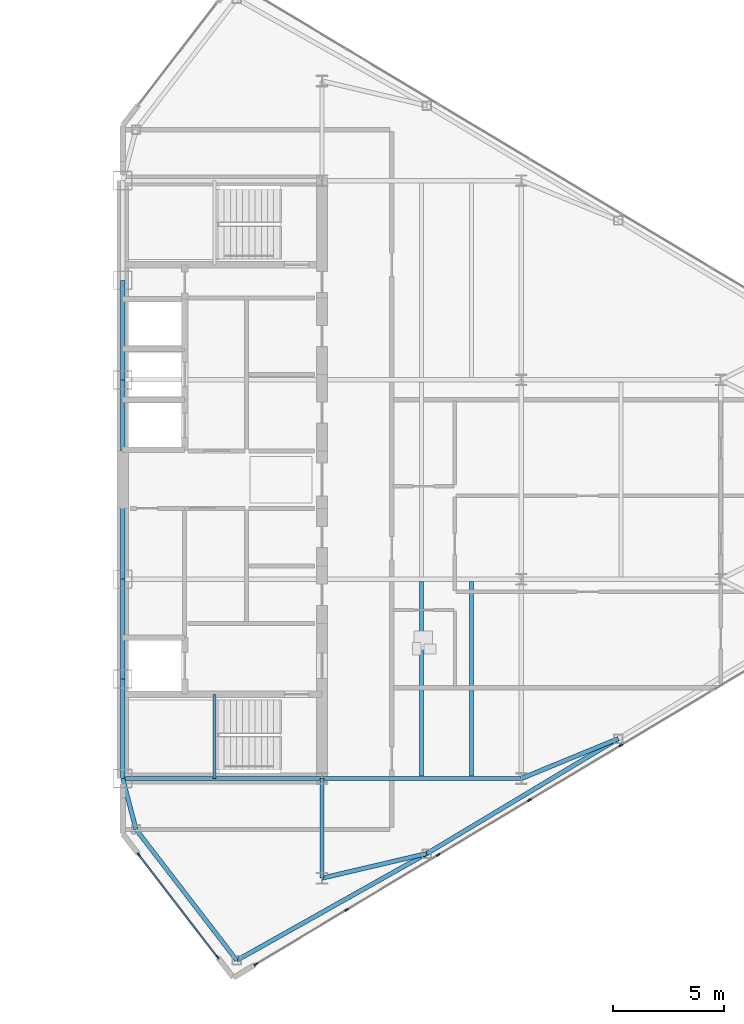
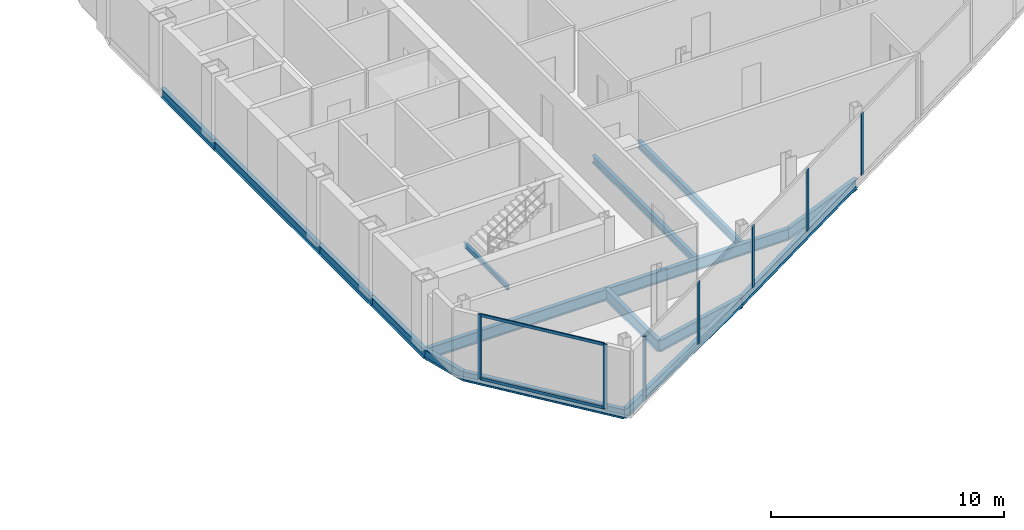
# One storey, part 11 of 25: 16 beams, 9 members, 2 elements without a shape of their own.
"""IFC4 building model written with IfcOpenShell, lengths in metres."""

from ifc_helpers import new_model, si_unit, direction, frame, origin, origin_2d, place, context, subcontext, project, spatial, rectangle, i_section, extrude, source, transform, mapped, material, layer, layer_set, material_profile, profile_set, type_object, type_shapes, element, aggregate, save


model = new_model("IFC4")

# Units and contexts
model_context = context("Model", 3, precision=1e-05, world=origin(), true_north=direction((0.0, 1.0)))
body_context = subcontext(model_context, "Body", "Model", "MODEL_VIEW")
ifc_project = project(units=[si_unit("LENGTHUNIT", "METRE"), si_unit("AREAUNIT", "SQUARE_METRE"), si_unit("VOLUMEUNIT", "CUBIC_METRE"), si_unit("PLANEANGLEUNIT", "RADIAN"), si_unit("MASSUNIT", "GRAM", prefix="KILO")], contexts=[model_context])

# Site, building, storey
site_placement = place(None, origin())
site = spatial("IfcSite", under=ifc_project, at=site_placement, CompositionType="ELEMENT")
building_placement = place(site_placement, origin())
building = spatial("IfcBuilding", under=site, at=building_placement, Name="Seokmaru Belvedere", CompositionType="ELEMENT")
storey_placement = place(building_placement, frame((0.0, 0.0, 210.300048828125)))
storey = spatial("IfcBuildingStorey", under=building, at=storey_placement, Name="L56", CompositionType="ELEMENT", Elevation=210.300048828125)

# Beams
ifc_material_1 = material(Name="Steel SM355 (355 MPa)", Category="steel")
ifc_material_profile_1 = material_profile(ifc_material_1, i_section(OverallWidth=0.199951171875, OverallDepth=0.5, WebThickness=0.010009765625, FlangeThickness=0.01611328125, at=origin_2d()), Name="H-500x200x10x16")
ifc_profile_set_1 = profile_set([ifc_material_profile_1], Name="Steel SM355 (355 MPa)")
beam_type_1 = type_object("IfcBeamType", Name="Perimeter Spandrel Beam H-500", PredefinedType="SPANDREL", material=ifc_profile_set_1)
shared_shape_1 = source(origin(), body_context, "Body", "SweptSolid", [
    extrude(i_section(OverallWidth=0.199951171875, OverallDepth=0.5, WebThickness=0.010009765625, FlangeThickness=0.01611328125, at=origin_2d()), origin(), (0.0, 0.0, 1.0), 4.5),
])
for number, where, z_axis, x_axis, name in (
    (1, (27.5, -13.5, -0.469970703125), (0.0, 1.0, 0.0), (-1.0, 0.0, 0.0), "L56 E Portal Spine Spandrel 1"),
    (2, (27.5, -9.0, -0.469970703125), (0.0, 1.0, 0.0), (-1.0, 0.0, 0.0), "L56 E Portal Spine Spandrel 2"),
    (3, (27.5, 4.5, -0.469970703125), (0.0, 1.0, 0.0), (-1.0, 0.0, 0.0), "L56 E Portal Spine Spandrel 4"),
):
    element("IfcBeam", number, at=place(storey_placement, frame(where, z_axis=z_axis, x_axis=x_axis)), inside=storey, type_object=beam_type_1, Name=name, PredefinedType="SPANDREL", context=body_context, shape_type="MappedRepresentation", body=[
        mapped(shared_shape_1, transform((0.0, 0.0, 0.0), scale=1.0)),
    ])
shared_shape_2 = source(origin(), body_context, "Body", "SweptSolid", [
    extrude(i_section(OverallWidth=0.199951171875, OverallDepth=0.5, WebThickness=0.010009765625, FlangeThickness=0.01611328125, at=origin_2d()), origin(), (0.0, 0.0, 1.0), 9.0),
])
beam_1_placement = place(storey_placement, frame((27.5, -4.5, -0.469970703125), z_axis=(0.0, 1.0, 0.0), x_axis=(-1.0, 0.0, 0.0)))
element("IfcBeam", 4, at=beam_1_placement, inside=storey, type_object=beam_type_1, Name="L56 E Portal Spine Spandrel 3", PredefinedType="SPANDREL", context=body_context, shape_type="MappedRepresentation", body=[
    mapped(shared_shape_2, transform((0.0, 0.0, 0.0), scale=1.0)),
])
ifc_material_profile_2 = material_profile(ifc_material_1, i_section(OverallWidth=0.199951171875, OverallDepth=0.60009765625, WebThickness=0.010986328125, FlangeThickness=0.01708984375, at=origin_2d()), Name="H-600x200x11x17")
ifc_profile_set_2 = profile_set([ifc_material_profile_2], Name="Steel SM355 (355 MPa)")
beam_type_2 = type_object("IfcBeamType", Name="Primary Floor Girder H-600", PredefinedType="BEAM", material=ifc_profile_set_2)
shared_shape_3 = source(origin(), body_context, "Body", "SweptSolid", [
    extrude(i_section(OverallWidth=0.199951171875, OverallDepth=0.60009765625, WebThickness=0.010986328125, FlangeThickness=0.01708984375, at=origin_2d()), origin(), (0.0, 0.0, 1.0), 9.0),
])
for number, where, z_axis, x_axis, name in (
    (5, (27.5, -13.5, -0.52001953125), (1.0, 0.0, 0.0), (0.0, 1.0, 0.0), "L56 E Core Tie Girder 1"),
    (6, (36.5, -13.5, -0.52001953125), (1.0, 0.0, 0.0), (0.0, 1.0, 0.0), "L56 E Wing Primary Girder 1"),
):
    element("IfcBeam", number, at=place(storey_placement, frame(where, z_axis=z_axis, x_axis=x_axis)), inside=storey, type_object=beam_type_2, Name=name, PredefinedType="BEAM", context=body_context, shape_type="MappedRepresentation", body=[
        mapped(shared_shape_3, transform((0.0, 0.0, 0.0), scale=1.0)),
    ])
ifc_material_profile_3 = material_profile(ifc_material_1, i_section(OverallWidth=0.18505859375, OverallDepth=0.389892578125, WebThickness=0.008056640625, FlangeThickness=0.011962890625, at=origin_2d()), Name="H-390x185x8x12")
ifc_profile_set_3 = profile_set([ifc_material_profile_3], Name="Steel SM355 (355 MPa)")
beam_type_3 = type_object("IfcBeamType", Name="Secondary Floor Joist H-350", PredefinedType="JOIST", material=ifc_profile_set_3)
shared_shape_4 = source(origin(), body_context, "Body", "SweptSolid", [
    extrude(i_section(OverallWidth=0.18505859375, OverallDepth=0.389892578125, WebThickness=0.008056640625, FlangeThickness=0.011962890625, at=origin_2d()), origin(), (0.0, 0.0, 1.0), 8.7900390625),
])
type_shapes(beam_type_3, [shared_shape_4])
for number, where, z_axis, x_axis, name in (
    (7, (43.25, -13.39501953125, -0.4150390625), (0.0, 1.0, 0.0), (-1.0, 0.0, 0.0), "L56 E Wing Inner Secondary Joist 1"),
    (8, (41.0, -13.39501953125, -0.4150390625), (0.0, 1.0, 0.0), (-1.0, 0.0, 0.0), "L56 E Secondary Floor Joist 1"),
):
    element("IfcBeam", number, at=place(storey_placement, frame(where, z_axis=z_axis, x_axis=x_axis)), inside=storey, type_object=beam_type_3, Name=name, PredefinedType="JOIST", context=body_context, shape_type="MappedRepresentation", body=[
        mapped(shared_shape_4, transform((0.0, 0.0, 0.0), scale=1.0)),
    ])
shared_shape_5 = source(origin(), body_context, "Body", "SweptSolid", [
    extrude(i_section(OverallWidth=0.199951171875, OverallDepth=0.60009765625, WebThickness=0.010986328125, FlangeThickness=0.01708984375, at=origin_2d()), origin(), (0.0, 0.0, 1.0), 4.5),
])
beam_2_placement = place(storey_placement, frame((36.5, -18.0, -0.52001953125), z_axis=(0.0, 1.0, 0.0), x_axis=(-1.0, 0.0, 0.0)))
element("IfcBeam", 9, at=beam_2_placement, inside=storey, type_object=beam_type_2, Name="L56 E Core Shoulder Girder S", PredefinedType="BEAM", context=body_context, shape_type="MappedRepresentation", body=[
    mapped(shared_shape_5, transform((0.0, 0.0, 0.0), scale=1.0)),
])
shared_shape_6 = source(origin(), body_context, "Body", "SweptSolid", [
    extrude(i_section(OverallWidth=0.199951171875, OverallDepth=0.5, WebThickness=0.010009765625, FlangeThickness=0.01611328125, at=origin_2d()), origin(), (0.0, 0.0, 1.0), 9.842041015625),
])
beam_3_placement = place(storey_placement, frame((32.649658203125, -21.71044921875, -0.469970703125), z_axis=(0.871782151818, 0.489893743349, 0.0), x_axis=(-0.489893743349, 0.871782151818, 0.0)))
element("IfcBeam", 10, at=beam_3_placement, inside=storey, type_object=beam_type_1, Name="L56 E Faceted Flank Spandrel S-1", PredefinedType="SPANDREL", context=body_context, shape_type="MappedRepresentation", body=[
    mapped(shared_shape_6, transform((0.0, 0.0, 0.0), scale=1.0)),
])
shared_shape_7 = source(origin(), body_context, "Body", "SweptSolid", [
    extrude(i_section(OverallWidth=0.199951171875, OverallDepth=0.5, WebThickness=0.010009765625, FlangeThickness=0.01611328125, at=origin_2d()), origin(), (0.0, 0.0, 1.0), 10.087646484375),
])
beam_4_placement = place(storey_placement, frame((41.229736328125, -16.888916015625, -0.469970703125), z_axis=(0.857499332045, 0.514485078056, 0.0), x_axis=(-0.514485078056, 0.857499332045, 0.0)))
element("IfcBeam", 11, at=beam_4_placement, inside=storey, type_object=beam_type_1, Name="L56 E Faceted Flank Spandrel S-2", PredefinedType="SPANDREL", context=body_context, shape_type="MappedRepresentation", body=[
    mapped(shared_shape_7, transform((0.0, 0.0, 0.0), scale=1.0)),
])
shared_shape_8 = source(origin(), body_context, "Body", "SweptSolid", [
    extrude(i_section(OverallWidth=0.199951171875, OverallDepth=0.5, WebThickness=0.010009765625, FlangeThickness=0.01611328125, at=origin_2d()), origin(), (0.0, 0.0, 1.0), 7.4619140625),
])
beam_5_placement = place(storey_placement, frame((32.649658203125, -21.71044921875, -0.469970703125), z_axis=(-0.609702854945, 0.792630070507, 0.0), x_axis=(-0.792630070507, -0.609702854945, 0.0)))
element("IfcBeam", 12, at=beam_5_placement, inside=storey, type_object=beam_type_1, Name="L56 E Shoulder Chamfer Spandrel S", PredefinedType="SPANDREL", context=body_context, shape_type="MappedRepresentation", body=[
    mapped(shared_shape_8, transform((0.0, 0.0, 0.0), scale=1.0)),
])
shared_shape_9 = source(origin(), body_context, "Body", "SweptSolid", [
    extrude(i_section(OverallWidth=0.199951171875, OverallDepth=0.5, WebThickness=0.010009765625, FlangeThickness=0.01611328125, at=origin_2d()), origin(), (0.0, 0.0, 1.0), 2.373046875),
])
type_shapes(beam_type_1, [shared_shape_1, shared_shape_2, shared_shape_6, shared_shape_7, shared_shape_8, shared_shape_9])
beam_6_placement = place(storey_placement, frame((28.10009765625, -15.7958984375, -0.469970703125), z_axis=(-0.252882558842, 0.967496982648, 0.0), x_axis=(-0.967496982648, -0.252882558842, 0.0)))
element("IfcBeam", 13, at=beam_6_placement, inside=storey, type_object=beam_type_1, Name="L56 E Shoulder Spine Spandrel S", PredefinedType="SPANDREL", context=body_context, shape_type="MappedRepresentation", body=[
    mapped(shared_shape_9, transform((0.0, 0.0, 0.0), scale=1.0)),
])
shared_shape_10 = source(origin(), body_context, "Body", "SweptSolid", [
    extrude(i_section(OverallWidth=0.199951171875, OverallDepth=0.60009765625, WebThickness=0.010986328125, FlangeThickness=0.01708984375, at=origin_2d()), origin(), (0.0, 0.0, 1.0), 4.8583984375),
])
beam_7_placement = place(storey_placement, frame((41.229736328125, -16.888916015625, -0.52001953125), z_axis=(-0.97349948295, -0.228689214211, 0.0), x_axis=(0.228689214211, -0.97349948295, 0.0)))
element("IfcBeam", 14, at=beam_7_placement, inside=storey, type_object=beam_type_2, Name="L56 E Flank Radial Floor Girder S-1", PredefinedType="BEAM", context=body_context, shape_type="MappedRepresentation", body=[
    mapped(shared_shape_10, transform((0.0, 0.0, 0.0), scale=1.0)),
])
shared_shape_11 = source(origin(), body_context, "Body", "SweptSolid", [
    extrude(i_section(OverallWidth=0.199951171875, OverallDepth=0.60009765625, WebThickness=0.010986328125, FlangeThickness=0.01708984375, at=origin_2d()), origin(), (0.0, 0.0, 1.0), 4.73583984375),
])
type_shapes(beam_type_2, [shared_shape_3, shared_shape_5, shared_shape_10, shared_shape_11])
beam_8_placement = place(storey_placement, frame((49.8798828125, -11.698974609375, -0.52001953125), z_axis=(-0.924860562953, -0.380306375301, 0.0), x_axis=(0.380306375301, -0.924860562953, 0.0)))
element("IfcBeam", 15, at=beam_8_placement, inside=storey, type_object=beam_type_2, Name="L56 E Flank Radial Floor Girder S-2", PredefinedType="BEAM", context=body_context, shape_type="MappedRepresentation", body=[
    mapped(shared_shape_11, transform((0.0, 0.0, 0.0), scale=1.0)),
])

# Curtain wall, member
ifc_material_2 = material(Name="Bronze Triple Insulating Glass", Category="glass")
ifc_layer = layer(ifc_material_2, 0.179931640625)
ifc_layer_set = layer_set([ifc_layer], Name="Bronze Triple Insulating Glass")
curtain_wall_type = type_object("IfcCurtainWallType", Name="High-Rise Wind-Corner Curtain Wall System CW-5", PredefinedType="NOTDEFINED", material=ifc_layer_set)
curtain_wall_1_placement = place(storey_placement, origin())
curtain_wall_1 = element("IfcCurtainWall", 16, at=curtain_wall_1_placement, inside=storey, type_object=curtain_wall_type, Name="L56 Curtain Wall EF1", PredefinedType="NOTDEFINED")
ifc_material_3 = material(Name="Anodised Bronze Aluminium", Category="aluminium")
ifc_material_profile_4 = material_profile(ifc_material_3, rectangle(XDim=0.06494140625, YDim=0.179931640625, at=origin_2d()), Name="CW-M-65x180")
ifc_profile_set_4 = profile_set([ifc_material_profile_4], Name="Anodised Bronze Aluminium")
member_type_1 = type_object("IfcMemberType", Name="Bronze Unitised Mullion 65x180", PredefinedType="MULLION", material=ifc_profile_set_4)
shared_shape_12 = source(origin(), body_context, "Body", "SweptSolid", [
    extrude(rectangle(XDim=0.06494140625, YDim=0.179931640625, at=origin_2d()), origin(), (0.0, 0.0, 1.0), 3.3798828125),
])
member_1_placement = place(storey_placement, frame((33.513916015625, -21.8916015625, 0.0), z_axis=(0.0, 0.0, 1.0), x_axis=(-0.514494909364, 0.85749343335, 0.0)))
member_1 = element("IfcMember", 17, at=member_1_placement, type_object=member_type_1, Name="CW:L56:EF1 Mullion 1", PredefinedType="MULLION", context=body_context, shape_type="MappedRepresentation", body=[
    mapped(shared_shape_12, transform((0.0, 0.0, 0.0), scale=1.0)),
])

# Curtain wall, members
curtain_wall_2_placement = place(storey_placement, origin())
curtain_wall_2 = element("IfcCurtainWall", 18, at=curtain_wall_2_placement, inside=storey, type_object=curtain_wall_type, Name="L56 Curtain Wall EF6", PredefinedType="NOTDEFINED")
member_2_placement = place(storey_placement, frame((28.220947265625, -16.937255859375, 0.0), z_axis=(0.0, 0.0, 1.0), x_axis=(0.792631353244, 0.609701187349, 0.0)))
member_2 = element("IfcMember", 19, at=member_2_placement, type_object=member_type_1, Name="CW:L56:EF6 Mullion 1", PredefinedType="MULLION", context=body_context, shape_type="MappedRepresentation", body=[
    mapped(shared_shape_12, transform((0.0, 0.0, 0.0), scale=1.0)),
])
member_3_placement = place(storey_placement, frame((31.779052734375, -21.562744140625, 0.0), z_axis=(0.0, 0.0, 1.0), x_axis=(0.792631353244, 0.609701187349, 0.0)))
member_3 = element("IfcMember", 20, at=member_3_placement, type_object=member_type_1, Name="CW:L56:EF6 Mullion 2", PredefinedType="MULLION", context=body_context, shape_type="MappedRepresentation", body=[
    mapped(shared_shape_12, transform((0.0, 0.0, 0.0), scale=1.0)),
])

# Member
shared_shape_13 = source(origin(), body_context, "Body", "SweptSolid", [
    extrude(rectangle(XDim=0.06494140625, YDim=0.179931640625, at=origin_2d()), origin(), (0.0, 0.0, 1.0), 3.25),
])
type_shapes(member_type_1, [shared_shape_12, shared_shape_13])
member_4_placement = place(storey_placement, frame((37.614501953125, -19.43115234375, 0.06494140625), z_axis=(0.0, 0.0, 1.0), x_axis=(-0.514494909364, 0.85749343335, 0.0)))
member_4 = element("IfcMember", 21, at=member_4_placement, type_object=member_type_1, Name="CW:L56:EF1 Mullion 2", PredefinedType="MULLION", context=body_context, shape_type="MappedRepresentation", body=[
    mapped(shared_shape_13, transform((0.0, 0.0, 0.0), scale=1.0)),
])

member_5_placement = place(storey_placement, frame((41.7431640625, -16.9541015625, 0.06494140625), z_axis=(0.0, 0.0, 1.0), x_axis=(-0.514494909364, 0.85749343335, 0.0)))
member_5 = element("IfcMember", 22, at=member_5_placement, type_object=member_type_1, Name="CW:L56:EF1 Mullion 3", PredefinedType="MULLION", context=body_context, shape_type="MappedRepresentation", body=[
    mapped(shared_shape_13, transform((0.0, 0.0, 0.0), scale=1.0)),
])

member_6_placement = place(storey_placement, frame((45.87158203125, -14.47705078125, 0.06494140625), z_axis=(0.0, 0.0, 1.0), x_axis=(-0.514494909364, 0.85749343335, 0.0)))
member_6 = element("IfcMember", 23, at=member_6_placement, type_object=member_type_1, Name="CW:L56:EF1 Mullion 4", PredefinedType="MULLION", context=body_context, shape_type="MappedRepresentation", body=[
    mapped(shared_shape_13, transform((0.0, 0.0, 0.0), scale=1.0)),
])

member_7_placement = place(storey_placement, frame((50.0, -12.0, 0.06494140625), z_axis=(0.0, 0.0, 1.0), x_axis=(-0.514494909364, 0.85749343335, 0.0)))
member_7 = element("IfcMember", 24, at=member_7_placement, type_object=member_type_1, Name="CW:L56:EF1 Mullion 5", PredefinedType="MULLION", context=body_context, shape_type="MappedRepresentation", body=[
    mapped(shared_shape_13, transform((0.0, 0.0, 0.0), scale=1.0)),
])

aggregate(curtain_wall_1, [member_1, member_4, member_5, member_6, member_7])

ifc_material_profile_5 = material_profile(ifc_material_3, rectangle(XDim=0.06494140625, YDim=0.14990234375, at=origin_2d()), Name="CW-T-65x150")
ifc_profile_set_5 = profile_set([ifc_material_profile_5], Name="Anodised Bronze Aluminium")
member_type_2 = type_object("IfcMemberType", Name="Bronze Unitised Transom 65x150", PredefinedType="USERDEFINED", material=ifc_profile_set_5)
shared_shape_14 = source(origin(), body_context, "Body", "SweptSolid", [
    extrude(rectangle(XDim=0.06494140625, YDim=0.14990234375, at=origin_2d()), origin(), (0.0, 0.0, 1.0), 5.77099609375),
])
type_shapes(member_type_2, [shared_shape_14])
member_8_placement = place(storey_placement, frame((28.24072265625, -16.962890625, 0.032470703125), z_axis=(0.60970258286, -0.792630279799, 0.0), x_axis=(0.792630279799, 0.60970258286, 0.0)))
member_8 = element("IfcMember", 25, at=member_8_placement, type_object=member_type_2, Name="CW:L56:EF6 Continuous Transom 1", ObjectType="TRANSOM", PredefinedType="USERDEFINED", context=body_context, shape_type="MappedRepresentation", body=[
    mapped(shared_shape_14, transform((0.0, 0.0, 0.0), scale=1.0)),
])

member_9_placement = place(storey_placement, frame((28.24072265625, -16.962890625, 3.347412109375), z_axis=(0.60970258286, -0.792630279799, 0.0), x_axis=(0.792630279799, 0.60970258286, 0.0)))
member_9 = element("IfcMember", 26, at=member_9_placement, type_object=member_type_2, Name="CW:L56:EF6 Continuous Transom 2", ObjectType="TRANSOM", PredefinedType="USERDEFINED", context=body_context, shape_type="MappedRepresentation", body=[
    mapped(shared_shape_14, transform((0.0, 0.0, 0.0), scale=1.0)),
])

aggregate(curtain_wall_2, [member_2, member_3, member_8, member_9])

# Beam
ifc_material_profile_6 = material_profile(ifc_material_1, i_section(OverallWidth=0.125, OverallDepth=0.25, WebThickness=0.006103515625, FlangeThickness=0.009033203125, at=origin_2d()), Name="H-250x125x6x9")
ifc_profile_set_6 = profile_set([ifc_material_profile_6], Name="Steel SM355 (355 MPa)")
beam_type_4 = type_object("IfcBeamType", Name="Stair Mid-Landing Support Beam H-250", PredefinedType="JOIST", material=ifc_profile_set_6)
shared_shape_15 = source(origin(), body_context, "Body", "SweptSolid", [
    extrude(i_section(OverallWidth=0.125, OverallDepth=0.25, WebThickness=0.006103515625, FlangeThickness=0.009033203125, at=origin_2d()), origin(), (0.0, 0.0, 1.0), 3.800048828125),
])
type_shapes(beam_type_4, [shared_shape_15])
beam_9_placement = place(storey_placement, frame((31.64990234375, -13.5, 1.474853515625), z_axis=(0.0, 1.0, 0.0), x_axis=(-1.0, 0.0, 0.0)))
element("IfcBeam", 27, at=beam_9_placement, inside=storey, type_object=beam_type_4, Name="L56 Stair ST-E1 Mid-Landing Support Beam 1", PredefinedType="JOIST", context=body_context, shape_type="MappedRepresentation", body=[
    mapped(shared_shape_15, transform((0.0, 0.0, 0.0), scale=1.0)),
])

save(model, "model.ifc")
